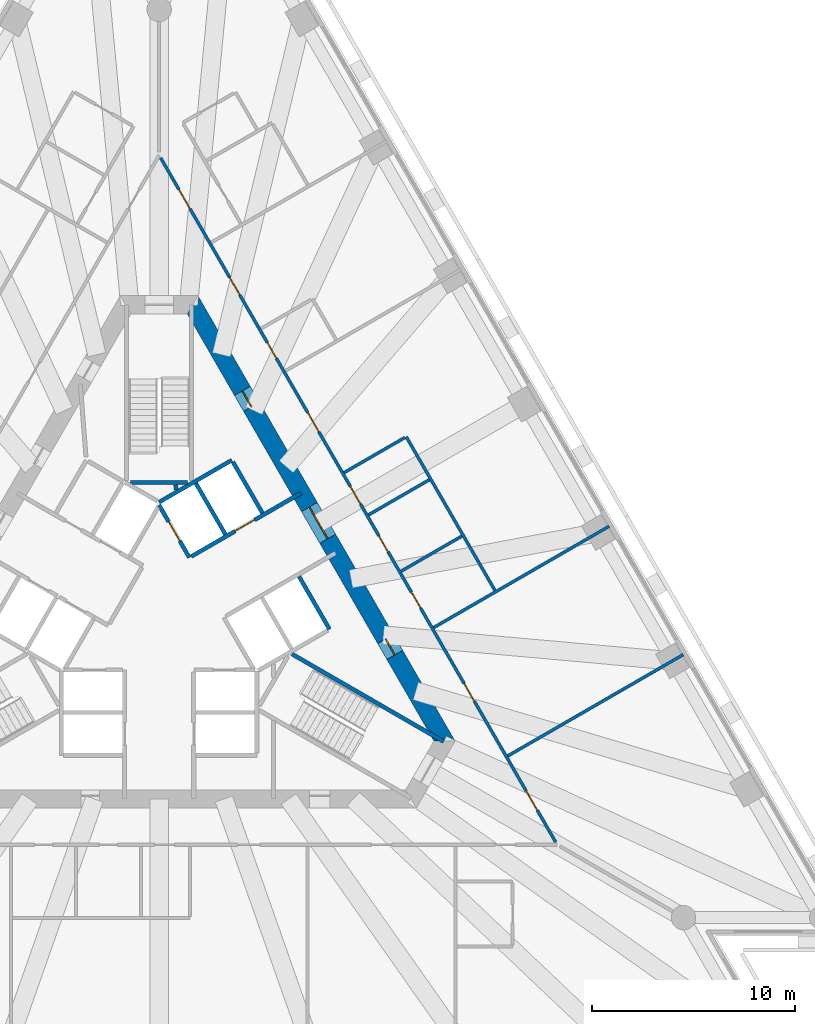
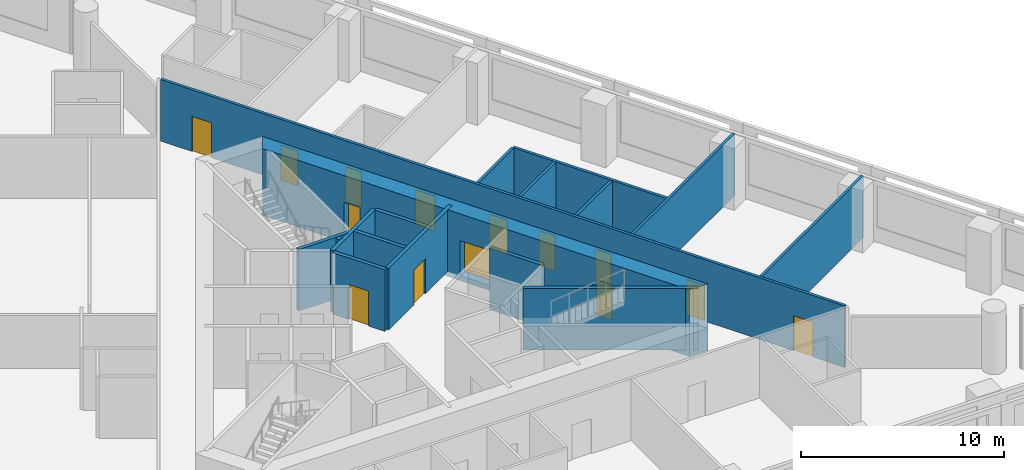
# One storey, part 6 of 11: 17 walls, 14 doors, 14 openings.
"""IFC4 building model written with IfcOpenShell, lengths in metres."""

from ifc_helpers import new_model, si_unit, direction, frame, frame_2d, origin, place, context, subcontext, project, spatial, polyline, rectangle, outline, extrude, material, layer, layer_set, type_object, element, fill, save


model = new_model("IFC4")

# Units and contexts
model_context = context("Model", 3, precision=1e-05, world=origin(), true_north=direction((0.0, 1.0)))
body_context = subcontext(model_context, "Body", "Model", "MODEL_VIEW")
ifc_project = project(units=[si_unit("LENGTHUNIT", "METRE"), si_unit("AREAUNIT", "SQUARE_METRE"), si_unit("VOLUMEUNIT", "CUBIC_METRE"), si_unit("PLANEANGLEUNIT", "RADIAN"), si_unit("MASSUNIT", "GRAM", prefix="KILO")], contexts=[model_context])

# Site, building, storey
site_placement = place(None, origin())
site = spatial("IfcSite", under=ifc_project, at=site_placement, CompositionType="ELEMENT")
building_placement = place(site_placement, origin())
building = spatial("IfcBuilding", under=site, at=building_placement, Name="Triada Interchange Tower", CompositionType="ELEMENT")
storey_placement = place(building_placement, frame((0.0, 0.0, 79.300048828125)))
storey = spatial("IfcBuildingStorey", under=building, at=storey_placement, Name="L17", CompositionType="ELEMENT", Elevation=79.300048828125)

# Wall
ifc_material_1 = material(Name="Concrete C30/37", Category="concrete")
ifc_layer_1 = layer(ifc_material_1, 0.199951171875)
ifc_layer_set_1 = layer_set([ifc_layer_1], Name="CORE WALL 200 EI 120")
wall_type_1 = type_object("IfcWallType", Name="CORE WALL 200 EI 120", PredefinedType="SOLIDWALL", material=ifc_layer_set_1)
wall_1_placement = place(storey_placement, frame((-0.001953125, 5.541015625, 0.0), z_axis=(0.0, 0.0, 1.0), x_axis=(0.86600155993, 0.500041296494, 0.0)))
element("IfcWall", 1, at=wall_1_placement, inside=storey, type_object=wall_type_1, Name="Wall L15 62", PredefinedType="SOLIDWALL", context=body_context, shape_type="SweptSolid", body=[
    extrude(rectangle(XDim=4.131591796875, YDim=0.199951171875, at=frame_2d((2.06591796875, 0.0))), origin(), (0.0, 0.0, 1.0), 3.699951171875),
])

# Wall, opening, door
wall_2_placement = place(storey_placement, frame((0.0, 5.39990234375, 0.0), z_axis=(0.0, 0.0, 1.0), x_axis=(0.500103862429, -0.865965430478, 0.0)))
wall_2 = element("IfcWall", 2, at=wall_2_placement, inside=storey, type_object=wall_type_1, Name="Wall L15 63", PredefinedType="SOLIDWALL", context=body_context, shape_type="SweptSolid", body=[
    extrude(rectangle(XDim=2.973388671875, YDim=0.199951171875, at=frame_2d((1.48681640625, 0.0))), origin(), (0.0, 0.0, 1.0), 3.699951171875),
])
opening_1_placement = place(wall_2_placement, frame((0.93701171875, 0.0, 0.0)))
opening_1 = element("IfcOpeningElement", 3, at=opening_1_placement, cuts=wall_2, Name="Opening LD-LR5", PredefinedType="OPENING", context=body_context, shape_type="SweptSolid", body=[
    extrude(rectangle(XDim=1.10009765625, YDim=2.10009765625, at=frame_2d((0.550048828125, 1.050048828125))), frame((0.0, 0.10986328125, 0.0), z_axis=(0.0, -1.0, 0.0), x_axis=(1.0, 0.0, 0.0)), (0.0, 0.0, 1.0), 0.219970703125),
])
ifc_material_2 = material(Name="Steel S235 door leaf", Category="steel")
door_type_1 = type_object("IfcDoorType", Name="LIFT LANDING DOOR 1100 EI 120", OperationType="SLIDING_TO_LEFT", PredefinedType="DOOR", material=ifc_material_2)
door_1_placement = place(opening_1_placement, origin())
door_1 = element("IfcDoor", 4, at=door_1_placement, inside=storey, type_object=door_type_1, Name="LR5 landing door L17", OperationType="SLIDING_TO_LEFT", OverallHeight=2.10009765625, OverallWidth=1.10009765625, PredefinedType="DOOR", context=body_context, shape_type="SweptSolid", body=[
    extrude(rectangle(XDim=1.10009765625, YDim=2.10009765625, at=frame_2d((0.550048828125, 1.050048828125))), frame((0.0, 0.02490234375, 0.0), z_axis=(0.0, -1.0, 0.0), x_axis=(1.0, 0.0, 0.0)), (0.0, 0.0, 1.0), 0.050048828125),
])
fill(opening_1, door_1)

wall_3_placement = place(storey_placement, frame((1.577880859375, 2.8740234375, 0.0), z_axis=(0.0, 0.0, 1.0), x_axis=(0.866031483044, 0.499989470266, 0.0)))
wall_3 = element("IfcWall", 5, at=wall_3_placement, inside=storey, type_object=wall_type_1, Name="Wall L15 65", PredefinedType="SOLIDWALL", context=body_context, shape_type="SweptSolid", body=[
    extrude(rectangle(XDim=6.226318359375, YDim=0.199951171875, at=frame_2d((3.11328125, 0.0))), origin(), (0.0, 0.0, 1.0), 3.699951171875),
])
opening_2_placement = place(wall_3_placement, frame((2.49609375, 0.0, 0.0)))
opening_2 = element("IfcOpeningElement", 6, at=opening_2_placement, cuts=wall_3, Name="Opening LD-LR6", PredefinedType="OPENING", context=body_context, shape_type="SweptSolid", body=[
    extrude(rectangle(XDim=1.10009765625, YDim=2.10009765625, at=frame_2d((0.550048828125, 1.050048828125))), frame((0.0, 0.10986328125, 0.0), z_axis=(0.0, -1.0, 0.0), x_axis=(1.0, 0.0, 0.0)), (0.0, 0.0, 1.0), 0.219970703125),
])
door_2_placement = place(opening_2_placement, origin())
door_2 = element("IfcDoor", 7, at=door_2_placement, inside=storey, type_object=door_type_1, Name="LR6 landing door L17", OperationType="SLIDING_TO_LEFT", OverallHeight=2.10009765625, OverallWidth=1.10009765625, PredefinedType="DOOR", context=body_context, shape_type="SweptSolid", body=[
    extrude(rectangle(XDim=1.10009765625, YDim=2.10009765625, at=frame_2d((0.550048828125, 1.050048828125))), frame((0.0, 0.02490234375, 0.0), z_axis=(0.0, -1.0, 0.0), x_axis=(1.0, 0.0, 0.0)), (0.0, 0.0, 1.0), 0.050048828125),
])
fill(opening_2, door_2)

# Walls
wall_4_placement = place(storey_placement, frame((3.6259765625, 7.52001953125, 0.0), z_axis=(0.0, 0.0, 1.0), x_axis=(0.500060147554, -0.865990674793, 0.0)))
element("IfcWall", 8, at=wall_4_placement, inside=storey, type_object=wall_type_1, Name="Wall L15 69", PredefinedType="SOLIDWALL", context=body_context, shape_type="SweptSolid", body=[
    extrude(rectangle(XDim=2.899658203125, YDim=0.199951171875, at=frame_2d((1.44970703125, 0.0))), origin(), (0.0, 0.0, 1.0), 3.699951171875),
])
wall_5_placement = place(storey_placement, frame((6.8759765625, 1.89111328125, 0.0), z_axis=(0.0, 0.0, 1.0), x_axis=(0.499990139034, -0.866031096941, 0.0)))
element("IfcWall", 9, at=wall_5_placement, inside=storey, type_object=wall_type_1, Name="Wall L15 70", PredefinedType="SOLIDWALL", context=body_context, shape_type="SweptSolid", body=[
    extrude(rectangle(XDim=3.0, YDim=0.199951171875, at=frame_2d((1.5, 0.0))), origin(), (0.0, 0.0, 1.0), 3.699951171875),
])
wall_6_placement = place(storey_placement, frame((1.806884765625, 6.469970703125, 0.0), z_axis=(0.0, 0.0, 1.0), x_axis=(0.50012328804, -0.865954211699, 0.0)))
element("IfcWall", 10, at=wall_6_placement, inside=storey, type_object=wall_type_1, Name="Wall L15 71", PredefinedType="SOLIDWALL", context=body_context, shape_type="SweptSolid", body=[
    extrude(rectangle(XDim=2.899658203125, YDim=0.199951171875, at=frame_2d((1.44970703125, 0.0))), origin(), (0.0, 0.0, 1.0), 3.699951171875),
])
ifc_layer_2 = layer(ifc_material_1, 0.199951171875)
ifc_layer_set_2 = layer_set([ifc_layer_2], Name="CORE WALL 200 EI 90")
wall_type_2 = type_object("IfcWallType", Name="CORE WALL 200 EI 90", PredefinedType="SOLIDWALL", material=ifc_layer_set_2)
wall_7_placement = place(storey_placement, frame((0.81103515625, 6.39990234375, 0.0), z_axis=(0.0, 0.0, 1.0), x_axis=(0.076199063602, -0.997092624938, 0.0)))
element("IfcWall", 11, at=wall_7_placement, inside=storey, type_object=wall_type_2, Name="Wall L15 90", PredefinedType="SOLIDWALL", context=body_context, shape_type="SweptSolid", body=[
    extrude(rectangle(XDim=0.2626953125, YDim=0.199951171875, at=frame_2d((0.13134765625, 0.0))), origin(), (0.0, 0.0, 1.0), 3.699951171875),
])
ifc_layer_3 = layer(ifc_material_1, 0.199951171875)
ifc_layer_set_3 = layer_set([ifc_layer_3], Name="CORE WALL 200 REI 240")
wall_type_3 = type_object("IfcWallType", Name="CORE WALL 200 REI 240", PredefinedType="SOLIDWALL", material=ifc_layer_set_3)
wall_8_placement = place(storey_placement, frame((-1.39990234375, 6.5, 0.0), z_axis=(0.0, 0.0, 1.0), x_axis=(1.0, 0.0, 0.0)))
element("IfcWall", 12, at=wall_8_placement, inside=storey, type_object=wall_type_3, Name="Wall L15 97", PredefinedType="SOLIDWALL", context=body_context, shape_type="SweptSolid", body=[
    extrude(rectangle(XDim=2.7998046875, YDim=0.199951171875, at=frame_2d((1.39990234375, 0.0))), origin(), (0.0, 0.0, 1.0), 3.699951171875),
])
wall_9_placement = place(storey_placement, frame((6.529052734375, -1.922119140625, 0.0), z_axis=(0.0, 0.0, 1.0), x_axis=(0.866060059011, -0.499939970583, 0.0)))
element("IfcWall", 13, at=wall_9_placement, inside=storey, type_object=wall_type_3, Name="Wall L15 101", PredefinedType="SOLIDWALL", context=body_context, shape_type="SweptSolid", body=[
    extrude(rectangle(XDim=8.61474609375, YDim=0.199951171875, at=frame_2d((4.307373046875, 0.0))), origin(), (0.0, 0.0, 1.0), 3.699951171875),
])

# Wall, openings, doors
ifc_material_3 = material(Name="Concrete C70/85", Category="concrete")
ifc_layer_4 = layer(ifc_material_3, 0.89990234375)
ifc_layer_set_4 = layer_set([ifc_layer_4], Name="Core wall A 900")
wall_type_4 = type_object("IfcWallType", Name="Core wall A 900", PredefinedType="SHEAR", material=ifc_layer_set_4)
wall_10_placement = place(storey_placement, frame((14.030029296875, -6.199951171875, -0.300048828125), z_axis=(0.0, 0.0, 1.0), x_axis=(-0.500026485275, 0.866010111964, 0.0)))
wall_10 = element("IfcWall", 14, at=wall_10_placement, inside=storey, type_object=wall_type_4, Name="Core wall WA06 L17", PredefinedType="SHEAR", context=body_context, shape_type="SweptSolid", body=[
    extrude(outline(polyline([(-0.260009765625, -0.448974609375), (1.685302734375, -0.448974609375), (3.63037109375, -0.44921875), (5.57568359375, -0.44921875), (7.52099609375, -0.44921875), (9.466064453125, -0.449462890625), (11.411376953125, -0.449462890625), (13.356689453125, -0.449462890625), (15.302001953125, -0.449462890625), (17.2470703125, -0.44970703125), (19.1923828125, -0.44970703125), (21.1376953125, -0.44970703125), (23.082763671875, -0.449951171875), (25.028076171875, -0.449951171875), (24.509033203125, 0.448974609375), (22.643798828125, 0.448974609375), (20.7783203125, 0.44921875), (18.9130859375, 0.44921875), (17.0478515625, 0.44921875), (15.182373046875, 0.449462890625), (13.317138671875, 0.449462890625), (11.451904296875, 0.449462890625), (9.586669921875, 0.449462890625), (7.72119140625, 0.44970703125), (5.85595703125, 0.44970703125), (3.99072265625, 0.44970703125), (2.125244140625, 0.449951171875), (0.260009765625, 0.449951171875), (-0.260009765625, -0.448974609375)])), origin(), (0.0, 0.0, 1.0), 4.0),
])
opening_3_placement = place(wall_10_placement, frame((11.48388671875, 0.0, 0.300048828125)))
opening_3 = element("IfcOpeningElement", 15, at=opening_3_placement, cuts=wall_10, Name="Opening D15-43", PredefinedType="OPENING", context=body_context, shape_type="SweptSolid", body=[
    extrude(rectangle(XDim=1.800048828125, YDim=2.10009765625, at=frame_2d((0.89990234375, 1.050048828125))), frame((0.0, 0.4599609375, 0.0), z_axis=(0.0, -1.0, 0.0), x_axis=(1.0, 0.0, 0.0)), (0.0, 0.0, 1.0), 0.919921875),
])
opening_4_placement = place(wall_10_placement, frame((4.89208984375, 0.0, 0.300048828125)))
opening_4 = element("IfcOpeningElement", 16, at=opening_4_placement, cuts=wall_10, Name="Opening D15-50", PredefinedType="OPENING", context=body_context, shape_type="SweptSolid", body=[
    extrude(rectangle(XDim=0.89990234375, YDim=2.10009765625, at=frame_2d((0.449951171875, 1.050048828125))), frame((0.0, 0.4599609375, 0.0), z_axis=(0.0, -1.0, 0.0), x_axis=(1.0, 0.0, 0.0)), (0.0, 0.0, 1.0), 0.919921875),
])
opening_5_placement = place(wall_10_placement, frame((18.97607421875, 0.0, 0.300048828125)))
opening_5 = element("IfcOpeningElement", 17, at=opening_5_placement, cuts=wall_10, Name="Opening D15-53", PredefinedType="OPENING", context=body_context, shape_type="SweptSolid", body=[
    extrude(rectangle(XDim=0.89990234375, YDim=2.10009765625, at=frame_2d((0.449951171875, 1.050048828125))), frame((0.0, 0.4599609375, 0.0), z_axis=(0.0, -1.0, 0.0), x_axis=(1.0, 0.0, 0.0)), (0.0, 0.0, 1.0), 0.919921875),
])
door_type_2 = type_object("IfcDoorType", Name="LOBBY DOOR 1800 EI2 90-C5S200", OperationType="DOUBLE_DOOR_SINGLE_SWING", PredefinedType="DOOR", material=ifc_material_2)
door_3_placement = place(opening_3_placement, origin())
door_3 = element("IfcDoor", 18, at=door_3_placement, inside=storey, type_object=door_type_2, Name="Door D15-43 L17", OperationType="DOUBLE_DOOR_SINGLE_SWING", OverallHeight=2.10009765625, OverallWidth=1.800048828125, PredefinedType="DOOR", context=body_context, shape_type="SweptSolid", body=[
    extrude(rectangle(XDim=1.800048828125, YDim=2.10009765625, at=frame_2d((0.89990234375, 1.050048828125))), frame((0.0, 0.02490234375, 0.0), z_axis=(0.0, -1.0, 0.0), x_axis=(1.0, 0.0, 0.0)), (0.0, 0.0, 1.0), 0.050048828125),
])
fill(opening_3, door_3)
door_type_3 = type_object("IfcDoorType", Name="SERVICE DOOR 900 EI2 45-C5S200", OperationType="NOTDEFINED", PredefinedType="DOOR", material=ifc_material_2)
door_4_placement = place(opening_4_placement, origin())
door_4 = element("IfcDoor", 19, at=door_4_placement, inside=storey, type_object=door_type_3, Name="Door D15-50 L17", OperationType="SINGLE_SWING_LEFT", OverallHeight=2.10009765625, OverallWidth=0.89990234375, PredefinedType="DOOR", context=body_context, shape_type="SweptSolid", body=[
    extrude(rectangle(XDim=0.89990234375, YDim=2.10009765625, at=frame_2d((0.449951171875, 1.050048828125))), frame((0.0, 0.02490234375, 0.0), z_axis=(0.0, -1.0, 0.0), x_axis=(1.0, 0.0, 0.0)), (0.0, 0.0, 1.0), 0.050048828125),
])
fill(opening_4, door_4)
door_5_placement = place(opening_5_placement, origin())
door_5 = element("IfcDoor", 20, at=door_5_placement, inside=storey, type_object=door_type_3, Name="Door D15-53 L17", OperationType="SINGLE_SWING_LEFT", OverallHeight=2.10009765625, OverallWidth=0.89990234375, PredefinedType="DOOR", context=body_context, shape_type="SweptSolid", body=[
    extrude(rectangle(XDim=0.89990234375, YDim=2.10009765625, at=frame_2d((0.449951171875, 1.050048828125))), frame((0.0, 0.02490234375, 0.0), z_axis=(0.0, -1.0, 0.0), x_axis=(1.0, 0.0, 0.0)), (0.0, 0.0, 1.0), 0.050048828125),
])
fill(opening_5, door_5)

ifc_material_4 = material(Name="Gypsum board partition")
ifc_layer_5 = layer(ifc_material_4, 0.14990234375)
ifc_layer_set_5 = layer_set([ifc_layer_5], Name="PARTITION 150 EI 180")
wall_type_5 = type_object("IfcWallType", Name="PARTITION 150 EI 180", PredefinedType="PARTITIONING", material=ifc_layer_set_5)
wall_11_placement = place(storey_placement, frame((0.074951171875, 22.469970703125, 0.0), z_axis=(0.0, 0.0, 1.0), x_axis=(0.500002280369, -0.866024087209, 0.0)))
wall_11 = element("IfcWall", 21, at=wall_11_placement, inside=storey, type_object=wall_type_5, Name="Wall L15 21", PredefinedType="PARTITIONING", context=body_context, shape_type="SweptSolid", body=[
    extrude(rectangle(XDim=38.843994140625, YDim=0.14990234375, at=frame_2d((19.421875, 0.0))), origin(), (0.0, 0.0, 1.0), 3.699951171875),
])
opening_6_placement = place(wall_11_placement, frame((35.944091796875, 0.0, 0.0)))
opening_6 = element("IfcOpeningElement", 22, at=opening_6_placement, cuts=wall_11, Name="Opening D15-23", PredefinedType="OPENING", context=body_context, shape_type="SweptSolid", body=[
    extrude(rectangle(XDim=1.10009765625, YDim=2.10009765625, at=frame_2d((0.550048828125, 1.050048828125))), frame((0.0, 0.0849609375, 0.0), z_axis=(0.0, -1.0, 0.0), x_axis=(1.0, 0.0, 0.0)), (0.0, 0.0, 1.0), 0.169921875),
])
opening_7_placement = place(wall_11_placement, frame((29.847900390625, 0.0, 0.0)))
opening_7 = element("IfcOpeningElement", 23, at=opening_7_placement, cuts=wall_11, Name="Opening D15-24", PredefinedType="OPENING", context=body_context, shape_type="SweptSolid", body=[
    extrude(rectangle(XDim=1.0, YDim=2.10009765625, at=frame_2d((0.5, 1.050048828125))), frame((0.0, 0.0849609375, 0.0), z_axis=(0.0, -1.0, 0.0), x_axis=(1.0, 0.0, 0.0)), (0.0, 0.0, 1.0), 0.169921875),
])
opening_8_placement = place(wall_11_placement, frame((14.4599609375, 0.0, 0.0)))
opening_8 = element("IfcOpeningElement", 24, at=opening_8_placement, cuts=wall_11, Name="Opening D15-25", PredefinedType="OPENING", context=body_context, shape_type="SweptSolid", body=[
    extrude(rectangle(XDim=1.10009765625, YDim=2.10009765625, at=frame_2d((0.550048828125, 1.050048828125))), frame((0.0, 0.0849609375, 0.0), z_axis=(0.0, -1.0, 0.0), x_axis=(1.0, 0.0, 0.0)), (0.0, 0.0, 1.0), 0.169921875),
])
opening_9_placement = place(wall_11_placement, frame((24.659912109375, 0.0, 0.0)))
opening_9 = element("IfcOpeningElement", 25, at=opening_9_placement, cuts=wall_11, Name="Opening D15-26", PredefinedType="OPENING", context=body_context, shape_type="SweptSolid", body=[
    extrude(rectangle(XDim=0.89990234375, YDim=2.10009765625, at=frame_2d((0.449951171875, 1.050048828125))), frame((0.0, 0.0849609375, 0.0), z_axis=(0.0, -1.0, 0.0), x_axis=(1.0, 0.0, 0.0)), (0.0, 0.0, 1.0), 0.169921875),
])
opening_10_placement = place(wall_11_placement, frame((21.4599609375, 0.0, 0.0)))
opening_10 = element("IfcOpeningElement", 26, at=opening_10_placement, cuts=wall_11, Name="Opening D15-27", PredefinedType="OPENING", context=body_context, shape_type="SweptSolid", body=[
    extrude(rectangle(XDim=0.89990234375, YDim=2.10009765625, at=frame_2d((0.449951171875, 1.050048828125))), frame((0.0, 0.0849609375, 0.0), z_axis=(0.0, -1.0, 0.0), x_axis=(1.0, 0.0, 0.0)), (0.0, 0.0, 1.0), 0.169921875),
])
opening_11_placement = place(wall_11_placement, frame((18.659912109375, 0.0, 0.0)))
opening_11 = element("IfcOpeningElement", 27, at=opening_11_placement, cuts=wall_11, Name="Opening D15-28", PredefinedType="OPENING", context=body_context, shape_type="SweptSolid", body=[
    extrude(rectangle(XDim=1.0, YDim=2.10009765625, at=frame_2d((0.5, 1.050048828125))), frame((0.0, 0.0849609375, 0.0), z_axis=(0.0, -1.0, 0.0), x_axis=(1.0, 0.0, 0.0)), (0.0, 0.0, 1.0), 0.169921875),
])
opening_12_placement = place(wall_11_placement, frame((6.784912109375, 0.0, 0.0)))
opening_12 = element("IfcOpeningElement", 28, at=opening_12_placement, cuts=wall_11, Name="Opening D15-29", PredefinedType="OPENING", context=body_context, shape_type="SweptSolid", body=[
    extrude(rectangle(XDim=1.0, YDim=2.10009765625, at=frame_2d((0.5, 1.050048828125))), frame((0.0, 0.0849609375, 0.0), z_axis=(0.0, -1.0, 0.0), x_axis=(1.0, 0.0, 0.0)), (0.0, 0.0, 1.0), 0.169921875),
])
opening_13_placement = place(wall_11_placement, frame((10.485107421875, 0.0, 0.0)))
opening_13 = element("IfcOpeningElement", 29, at=opening_13_placement, cuts=wall_11, Name="Opening D15-30", PredefinedType="OPENING", context=body_context, shape_type="SweptSolid", body=[
    extrude(rectangle(XDim=0.89990234375, YDim=2.10009765625, at=frame_2d((0.449951171875, 1.050048828125))), frame((0.0, 0.0849609375, 0.0), z_axis=(0.0, -1.0, 0.0), x_axis=(1.0, 0.0, 0.0)), (0.0, 0.0, 1.0), 0.169921875),
])
opening_14_placement = place(wall_11_placement, frame((1.7958984375, 0.0, 0.0)))
opening_14 = element("IfcOpeningElement", 30, at=opening_14_placement, cuts=wall_11, Name="Opening D15-31", PredefinedType="OPENING", context=body_context, shape_type="SweptSolid", body=[
    extrude(rectangle(XDim=1.10009765625, YDim=2.10009765625, at=frame_2d((0.550048828125, 1.050048828125))), frame((0.0, 0.0849609375, 0.0), z_axis=(0.0, -1.0, 0.0), x_axis=(1.0, 0.0, 0.0)), (0.0, 0.0, 1.0), 0.169921875),
])
door_type_4 = type_object("IfcDoorType", Name="ROOM DOOR 1000 EI2 90-C5S200", OperationType="NOTDEFINED", PredefinedType="DOOR", material=ifc_material_2)
door_6_placement = place(opening_7_placement, origin())
door_6 = element("IfcDoor", 31, at=door_6_placement, inside=storey, type_object=door_type_4, Name="Door D15-24 L17", OperationType="SINGLE_SWING_RIGHT", OverallHeight=2.10009765625, OverallWidth=1.0, PredefinedType="DOOR", context=body_context, shape_type="SweptSolid", body=[
    extrude(rectangle(XDim=1.0, YDim=2.10009765625, at=frame_2d((0.5, 1.050048828125))), frame((0.0, 0.02490234375, 0.0), z_axis=(0.0, -1.0, 0.0), x_axis=(1.0, 0.0, 0.0)), (0.0, 0.0, 1.0), 0.050048828125),
])
fill(opening_7, door_6)
door_7_placement = place(opening_11_placement, origin())
door_7 = element("IfcDoor", 32, at=door_7_placement, inside=storey, type_object=door_type_4, Name="Door D15-28 L17", OperationType="SINGLE_SWING_LEFT", OverallHeight=2.10009765625, OverallWidth=1.0, PredefinedType="DOOR", context=body_context, shape_type="SweptSolid", body=[
    extrude(rectangle(XDim=1.0, YDim=2.10009765625, at=frame_2d((0.5, 1.050048828125))), frame((0.0, 0.02490234375, 0.0), z_axis=(0.0, -1.0, 0.0), x_axis=(1.0, 0.0, 0.0)), (0.0, 0.0, 1.0), 0.050048828125),
])
fill(opening_11, door_7)
door_8_placement = place(opening_12_placement, origin())
door_8 = element("IfcDoor", 33, at=door_8_placement, inside=storey, type_object=door_type_4, Name="Door D15-29 L17", OperationType="SINGLE_SWING_RIGHT", OverallHeight=2.10009765625, OverallWidth=1.0, PredefinedType="DOOR", context=body_context, shape_type="SweptSolid", body=[
    extrude(rectangle(XDim=1.0, YDim=2.10009765625, at=frame_2d((0.5, 1.050048828125))), frame((0.0, 0.02490234375, 0.0), z_axis=(0.0, -1.0, 0.0), x_axis=(1.0, 0.0, 0.0)), (0.0, 0.0, 1.0), 0.050048828125),
])
fill(opening_12, door_8)
door_type_5 = type_object("IfcDoorType", Name="ROOM DOOR 900 EI2 90-C5S200", OperationType="NOTDEFINED", PredefinedType="DOOR", material=ifc_material_2)
door_9_placement = place(opening_9_placement, origin())
door_9 = element("IfcDoor", 34, at=door_9_placement, inside=storey, type_object=door_type_5, Name="Door D15-26 L17", OperationType="SINGLE_SWING_LEFT", OverallHeight=2.10009765625, OverallWidth=0.89990234375, PredefinedType="DOOR", context=body_context, shape_type="SweptSolid", body=[
    extrude(rectangle(XDim=0.89990234375, YDim=2.10009765625, at=frame_2d((0.449951171875, 1.050048828125))), frame((0.0, 0.02490234375, 0.0), z_axis=(0.0, -1.0, 0.0), x_axis=(1.0, 0.0, 0.0)), (0.0, 0.0, 1.0), 0.050048828125),
])
fill(opening_9, door_9)
door_10_placement = place(opening_10_placement, origin())
door_10 = element("IfcDoor", 35, at=door_10_placement, inside=storey, type_object=door_type_5, Name="Door D15-27 L17", OperationType="SINGLE_SWING_LEFT", OverallHeight=2.10009765625, OverallWidth=0.89990234375, PredefinedType="DOOR", context=body_context, shape_type="SweptSolid", body=[
    extrude(rectangle(XDim=0.89990234375, YDim=2.10009765625, at=frame_2d((0.449951171875, 1.050048828125))), frame((0.0, 0.02490234375, 0.0), z_axis=(0.0, -1.0, 0.0), x_axis=(1.0, 0.0, 0.0)), (0.0, 0.0, 1.0), 0.050048828125),
])
fill(opening_10, door_10)
door_type_6 = type_object("IfcDoorType", Name="SERVICE DOOR 900 EI2 90-C5S200", OperationType="NOTDEFINED", PredefinedType="DOOR", material=ifc_material_2)
door_11_placement = place(opening_13_placement, origin())
door_11 = element("IfcDoor", 36, at=door_11_placement, inside=storey, type_object=door_type_6, Name="Door D15-30 L17", OperationType="SINGLE_SWING_LEFT", OverallHeight=2.10009765625, OverallWidth=0.89990234375, PredefinedType="DOOR", context=body_context, shape_type="SweptSolid", body=[
    extrude(rectangle(XDim=0.89990234375, YDim=2.10009765625, at=frame_2d((0.449951171875, 1.050048828125))), frame((0.0, 0.02490234375, 0.0), z_axis=(0.0, -1.0, 0.0), x_axis=(1.0, 0.0, 0.0)), (0.0, 0.0, 1.0), 0.050048828125),
])
fill(opening_13, door_11)
door_type_7 = type_object("IfcDoorType", Name="TENANCY ENTRANCE DOOR 1100 EI2 90-C5S200", OperationType="NOTDEFINED", PredefinedType="DOOR", material=ifc_material_2)
door_12_placement = place(opening_6_placement, origin())
door_12 = element("IfcDoor", 37, at=door_12_placement, inside=storey, type_object=door_type_7, Name="Door D15-23 L17", OperationType="SINGLE_SWING_RIGHT", OverallHeight=2.10009765625, OverallWidth=1.10009765625, PredefinedType="DOOR", context=body_context, shape_type="SweptSolid", body=[
    extrude(rectangle(XDim=1.10009765625, YDim=2.10009765625, at=frame_2d((0.550048828125, 1.050048828125))), frame((0.0, 0.02490234375, 0.0), z_axis=(0.0, -1.0, 0.0), x_axis=(1.0, 0.0, 0.0)), (0.0, 0.0, 1.0), 0.050048828125),
])
fill(opening_6, door_12)
door_13_placement = place(opening_8_placement, origin())
door_13 = element("IfcDoor", 38, at=door_13_placement, inside=storey, type_object=door_type_7, Name="Door D15-25 L17", OperationType="SINGLE_SWING_RIGHT", OverallHeight=2.10009765625, OverallWidth=1.10009765625, PredefinedType="DOOR", context=body_context, shape_type="SweptSolid", body=[
    extrude(rectangle(XDim=1.10009765625, YDim=2.10009765625, at=frame_2d((0.550048828125, 1.050048828125))), frame((0.0, 0.02490234375, 0.0), z_axis=(0.0, -1.0, 0.0), x_axis=(1.0, 0.0, 0.0)), (0.0, 0.0, 1.0), 0.050048828125),
])
fill(opening_8, door_13)
door_14_placement = place(opening_14_placement, origin())
door_14 = element("IfcDoor", 39, at=door_14_placement, inside=storey, type_object=door_type_7, Name="Door D15-31 L17", OperationType="SINGLE_SWING_LEFT", OverallHeight=2.10009765625, OverallWidth=1.10009765625, PredefinedType="DOOR", context=body_context, shape_type="SweptSolid", body=[
    extrude(rectangle(XDim=1.10009765625, YDim=2.10009765625, at=frame_2d((0.550048828125, 1.050048828125))), frame((0.0, 0.02490234375, 0.0), z_axis=(0.0, -1.0, 0.0), x_axis=(1.0, 0.0, 0.0)), (0.0, 0.0, 1.0), 0.050048828125),
])
fill(opening_14, door_14)

# Walls
wall_12_placement = place(storey_placement, frame((12.14794921875, 8.760009765625, 0.0), z_axis=(0.0, 0.0, 1.0), x_axis=(0.499970334739, -0.866042530354, 0.0)))
element("IfcWall", 40, at=wall_12_placement, inside=storey, type_object=wall_type_5, Name="Wall L15 27", PredefinedType="PARTITIONING", context=body_context, shape_type="SweptSolid", body=[
    extrude(rectangle(XDim=8.724609375, YDim=0.14990234375, at=frame_2d((4.3623046875, 0.0))), origin(), (0.0, 0.0, 1.0), 3.699951171875),
])
for number, where, z_axis, x_axis, name in (
    (41, (9.094970703125, 6.9970703125, 0.0), (0.0, 0.0, 1.0), (0.866061862632, 0.499936846106, 0.0), "Wall L15 28"),
    (42, (10.294921875, 4.9189453125, 0.0), (0.0, 0.0, 1.0), (0.866031223622, 0.49998991961, 0.0), "Wall L15 29"),
    (43, (11.89501953125, 2.14794921875, 0.0), (0.0, 0.0, 1.0), (0.866031223622, 0.49998991961, 0.0), "Wall L15 30"),
):
    element("IfcWall", number, at=place(storey_placement, frame(where, z_axis=z_axis, x_axis=x_axis)), inside=storey, type_object=wall_type_5, Name=name, PredefinedType="PARTITIONING", context=body_context, shape_type="SweptSolid", body=[
        extrude(rectangle(XDim=3.4501953125, YDim=0.14990234375, at=frame_2d((1.72509765625, 0.0))), origin(), (0.0, 0.0, 1.0), 3.699951171875),
    ])
wall_13_placement = place(storey_placement, frame((13.4951171875, -0.6240234375, 0.0), z_axis=(0.0, 0.0, 1.0), x_axis=(0.866002028202, 0.500040485511, 0.0)))
element("IfcWall", 44, at=wall_13_placement, inside=storey, type_object=wall_type_5, Name="Wall L15 31", PredefinedType="PARTITIONING", context=body_context, shape_type="SweptSolid", body=[
    extrude(rectangle(XDim=9.967529296875, YDim=0.14990234375, at=frame_2d((4.98388671875, 0.0))), origin(), (0.0, 0.0, 1.0), 3.699951171875),
])
wall_14_placement = place(storey_placement, frame((17.138916015625, -6.93603515625, 0.0), z_axis=(0.0, 0.0, 1.0), x_axis=(0.866008152443, 0.500029879009, 0.0)))
element("IfcWall", 45, at=wall_14_placement, inside=storey, type_object=wall_type_5, Name="Wall L15 33", PredefinedType="PARTITIONING", context=body_context, shape_type="SweptSolid", body=[
    extrude(rectangle(XDim=9.9677734375, YDim=0.14990234375, at=frame_2d((4.98388671875, 0.0))), origin(), (0.0, 0.0, 1.0), 3.699951171875),
])

save(model, "model.ifc")
